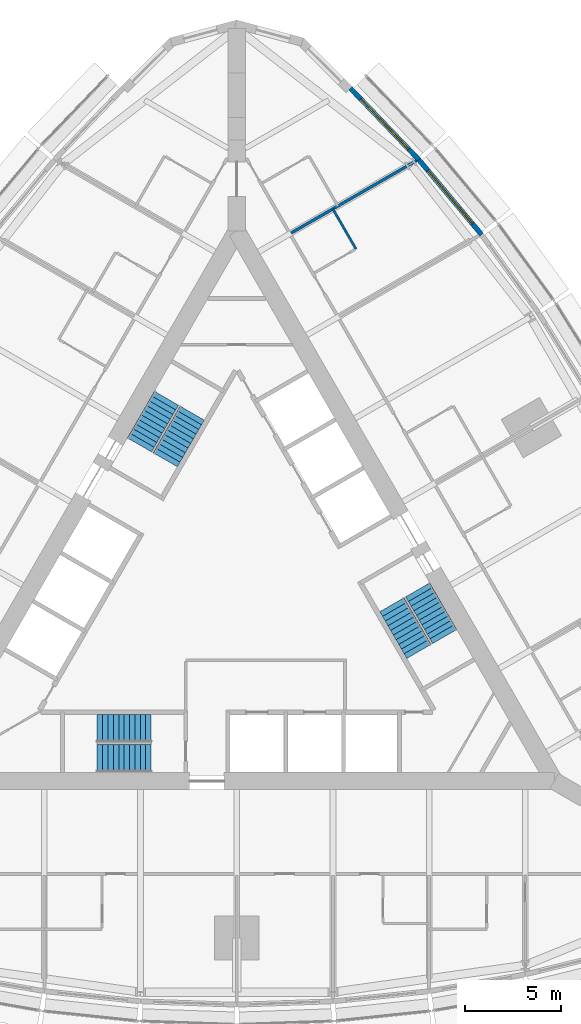
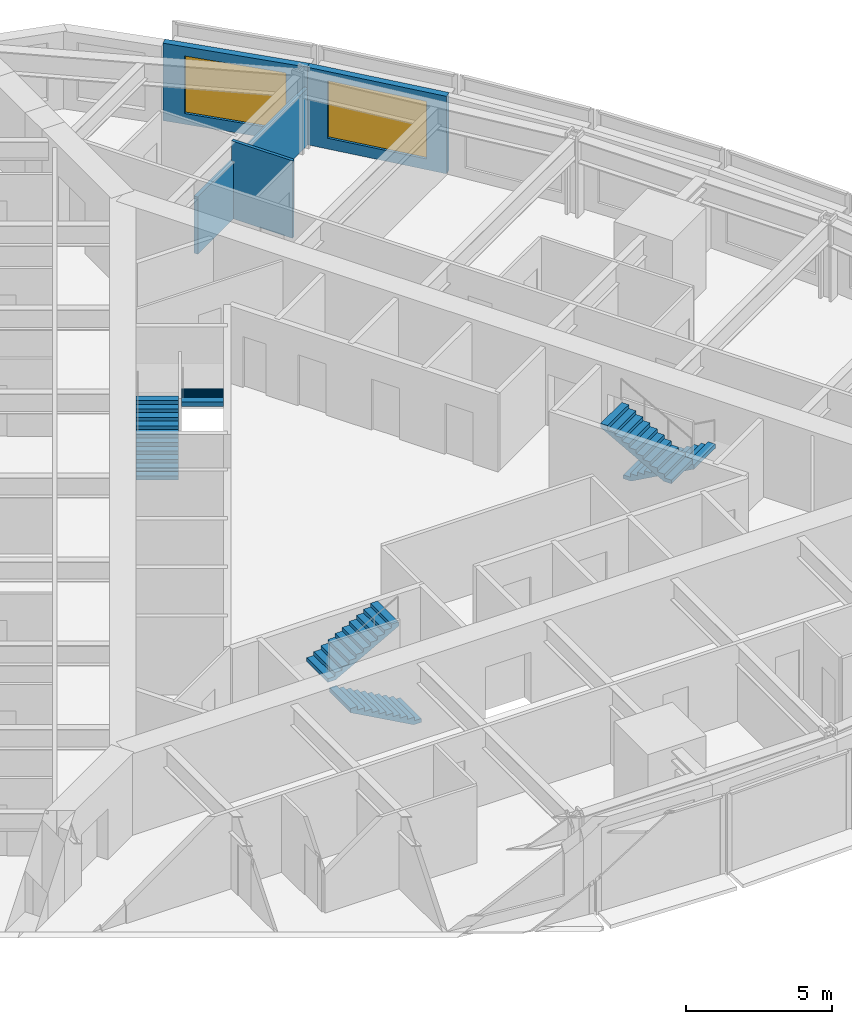
# One storey, part 13 of 14: 6 stair flights, 4 walls, 2 windows, 2 openings, 3 elements without a shape of their own.
"""IFC4 building model written with IfcOpenShell, lengths in metres."""

from ifc_helpers import new_model, si_unit, direction, frame, frame_2d, origin, place, context, subcontext, project, spatial, polyline, rectangle, outline, extrude, material, layer, layer_set, type_object, element, fill, aggregate, save


model = new_model("IFC4")

# Units and contexts
model_context = context("Model", 3, precision=1e-05, world=origin(), true_north=direction((0.0, 1.0)))
body_context = subcontext(model_context, "Body", "Model", "MODEL_VIEW")
ifc_project = project(units=[si_unit("LENGTHUNIT", "METRE"), si_unit("AREAUNIT", "SQUARE_METRE"), si_unit("VOLUMEUNIT", "CUBIC_METRE"), si_unit("PLANEANGLEUNIT", "RADIAN"), si_unit("MASSUNIT", "GRAM", prefix="KILO")], contexts=[model_context])

# Site, building, storey
site_placement = place(None, origin())
site = spatial("IfcSite", under=ifc_project, at=site_placement, CompositionType="ELEMENT")
building_placement = place(site_placement, origin())
building = spatial("IfcBuilding", under=site, at=building_placement, Name="Trikona Tower", CompositionType="ELEMENT")
storey_placement = place(building_placement, frame((0.0, 0.0, 155.5)))
storey = spatial("IfcBuildingStorey", under=building, at=storey_placement, Name="L41", CompositionType="ELEMENT", Elevation=155.5)

# Wall
ifc_material_1 = material(Name="Metal stud and cement board", Category="gypsum")
ifc_layer_1 = layer(ifc_material_1, 0.1201171875)
ifc_layer_set_1 = layer_set([ifc_layer_1], Name="Bathroom wall 120")
wall_type_1 = type_object("IfcWallType", Name="Bathroom wall 120", PredefinedType="PLUMBINGWALL", material=ifc_layer_set_1)
wall_1_placement = place(storey_placement, frame((6.193603515625, 18.125, 0.0), z_axis=(0.0, 0.0, 1.0), x_axis=(-0.500033551112, 0.866006032174, 0.0)))
element("IfcWall", 1, at=wall_1_placement, inside=storey, type_object=wall_type_1, Name="Bathroom wall 4108", PredefinedType="PLUMBINGWALL", context=body_context, shape_type="SweptSolid", body=[
    extrude(rectangle(XDim=2.400146484375, YDim=0.1201171875, at=frame_2d((1.2001953125, 0.0))), origin(), (0.0, 0.0, 1.0), 3.235107421875),
])

# Wall, opening, window
ifc_material_2 = material(Name="Insulated precast concrete spandrel panel", Category="concrete")
ifc_layer_2 = layer(ifc_material_2, 0.25)
ifc_layer_set_2 = layer_set([ifc_layer_2], Name="Inner skin wall 250")
wall_type_2 = type_object("IfcWallType", Name="Inner skin wall 250", PredefinedType="STANDARD", material=ifc_layer_set_2)
wall_2_placement = place(storey_placement, frame((12.722900390625, 18.86767578125, 0.0), z_axis=(0.0, 0.0, 1.0), x_axis=(-0.641810386606, 0.766863369607, 0.0)))
wall_2 = element("IfcWall", 2, at=wall_2_placement, inside=storey, type_object=wall_type_2, Name="External wall L41-18", PredefinedType="STANDARD", context=body_context, shape_type="SweptSolid", body=[
    extrude(rectangle(XDim=5.075927734375, YDim=0.25, at=frame_2d((2.5380859375, 0.0))), origin(), (0.0, 0.0, 1.0), 3.235107421875),
])
opening_1_placement = place(wall_2_placement, frame((0.738037109375, 0.0, 0.449951171875)))
opening_1 = element("IfcOpeningElement", 3, at=opening_1_placement, cuts=wall_2, Name="Opening W3624", PredefinedType="OPENING", context=body_context, shape_type="SweptSolid", body=[
    extrude(rectangle(XDim=3.60009765625, YDim=2.39990234375, at=frame_2d((1.800048828125, 1.199951171875))), frame((0.0, 0.135009765625, 0.0), z_axis=(0.0, -1.0, 0.0), x_axis=(1.0, 0.0, 0.0)), (0.0, 0.0, 1.0), 0.27001953125),
])
ifc_material_3 = material(Name="Aluminium-framed double glazing", Category="aluminium")
window_type = type_object("IfcWindowType", Name="Window 3600x2400", PartitioningType="SINGLE_PANEL", PredefinedType="WINDOW", material=ifc_material_3)
window_1_placement = place(opening_1_placement, origin())
window_1 = element("IfcWindow", 4, at=window_1_placement, inside=storey, type_object=window_type, Name="Window 4108", OverallHeight=2.39990234375, OverallWidth=3.60009765625, PartitioningType="SINGLE_PANEL", PredefinedType="WINDOW", context=body_context, shape_type="SweptSolid", body=[
    extrude(rectangle(XDim=3.60009765625, YDim=2.39990234375, at=frame_2d((1.800048828125, 1.199951171875))), frame((0.0, 0.030029296875, 0.0), z_axis=(0.0, -1.0, 0.0), x_axis=(1.0, 0.0, 0.0)), (0.0, 0.0, 1.0), 0.06005859375),
])
fill(opening_1, window_1)

wall_3_placement = place(storey_placement, frame((9.470703125, 22.75390625, 0.0), z_axis=(0.0, 0.0, 1.0), x_axis=(-0.691719937936, 0.722165858693, 0.0)))
wall_3 = element("IfcWall", 5, at=wall_3_placement, inside=storey, type_object=wall_type_2, Name="External wall L41-19", PredefinedType="STANDARD", context=body_context, shape_type="SweptSolid", body=[
    extrude(rectangle(XDim=5.148193359375, YDim=0.25, at=frame_2d((2.57421875, 0.0))), origin(), (0.0, 0.0, 1.0), 3.235107421875),
])
opening_2_placement = place(wall_3_placement, frame((0.77392578125, 0.0, 0.449951171875)))
opening_2 = element("IfcOpeningElement", 6, at=opening_2_placement, cuts=wall_3, Name="Opening W3624", PredefinedType="OPENING", context=body_context, shape_type="SweptSolid", body=[
    extrude(rectangle(XDim=3.60009765625, YDim=2.39990234375, at=frame_2d((1.800048828125, 1.199951171875))), frame((0.0, 0.135009765625, 0.0), z_axis=(0.0, -1.0, 0.0), x_axis=(1.0, 0.0, 0.0)), (0.0, 0.0, 1.0), 0.27001953125),
])
window_2_placement = place(opening_2_placement, origin())
window_2 = element("IfcWindow", 7, at=window_2_placement, inside=storey, type_object=window_type, Name="Window 4109", OverallHeight=2.39990234375, OverallWidth=3.60009765625, PartitioningType="SINGLE_PANEL", PredefinedType="WINDOW", context=body_context, shape_type="SweptSolid", body=[
    extrude(rectangle(XDim=3.60009765625, YDim=2.39990234375, at=frame_2d((1.800048828125, 1.199951171875))), frame((0.0, 0.030029296875, 0.0), z_axis=(0.0, -1.0, 0.0), x_axis=(1.0, 0.0, 0.0)), (0.0, 0.0, 1.0), 0.06005859375),
])
fill(opening_2, window_2)

# Wall
ifc_material_4 = material(Name="Metal stud and gypsum board, 1-hour acoustic", Category="gypsum")
ifc_layer_3 = layer(ifc_material_4, 0.14990234375)
ifc_layer_set_3 = layer_set([ifc_layer_3], Name="Party wall 150")
wall_type_3 = type_object("IfcWallType", Name="Party wall 150", PredefinedType="PARTITIONING", material=ifc_layer_set_3)
wall_4_placement = place(storey_placement, frame((2.82861328125, 18.95361328125, 0.0), z_axis=(0.0, 0.0, 1.0), x_axis=(0.866015739374, 0.500016738876, 0.0)))
element("IfcWall", 8, at=wall_4_placement, inside=storey, type_object=wall_type_3, Name="Partition L41 F2 u15", PredefinedType="PARTITIONING", context=body_context, shape_type="SweptSolid", body=[
    extrude(rectangle(XDim=7.516357421875, YDim=0.14990234375, at=frame_2d((3.75830078125, 0.0))), origin(), (0.0, 0.0, 1.0), 2.38916015625),
])

# Stair, stair flights
ifc_material_5 = material(Name="Concrete f'c 5000 psi", Category="concrete")
stair_type = type_object("IfcStairType", Name="Core stair", PredefinedType="HALF_TURN_STAIR", material=ifc_material_5)
stair_1_placement = place(storey_placement, origin())
stair_1 = element("IfcStair", 9, at=stair_1_placement, inside=storey, type_object=stair_type, Name="Stair A L41", PredefinedType="HALF_TURN_STAIR")
ifc_material_6 = material(Name="Concrete f'c 5000 psi", Category="concrete")
stair_flight_type = type_object("IfcStairFlightType", Name="Core stair flight 1450", PredefinedType="STRAIGHT", material=ifc_material_6)
stair_flight_1_placement = place(storey_placement, frame((-4.449951171875, -8.351318359375, 0.0), z_axis=(0.0, 0.0, 1.0), x_axis=(-1.0, 0.0, 0.0)))
stair_flight_1 = element("IfcStairFlight", 10, at=stair_flight_1_placement, type_object=stair_flight_type, Name="ST-A flight 1", NumberOfRisers=11, NumberOfTreads=10, PredefinedType="STRAIGHT", RiserHeight=0.154545, TreadLength=0.28, context=body_context, shape_type="SweptSolid", body=[
    extrude(outline(polyline([(0.0, 0.0), (0.0, 0.154541015625), (0.280029296875, 0.154541015625), (0.280029296875, 0.30908203125), (0.56005859375, 0.30908203125), (0.56005859375, 0.463623046875), (0.840087890625, 0.463623046875), (0.840087890625, 0.6181640625), (1.1201171875, 0.6181640625), (1.1201171875, 0.772705078125), (1.39990234375, 0.772705078125), (1.39990234375, 0.92724609375), (1.679931640625, 0.92724609375), (1.679931640625, 1.081787109375), (1.9599609375, 1.081787109375), (1.9599609375, 1.236328125), (2.239990234375, 1.236328125), (2.239990234375, 1.390869140625), (2.52001953125, 1.390869140625), (2.52001953125, 1.54541015625), (2.800048828125, 1.54541015625), (2.800048828125, 1.699951171875), (2.800048828125, 1.374267578125), (0.310302734375, 0.0), (0.0, 0.0)])), frame((0.0, 0.72509765625, 0.0), z_axis=(0.0, -1.0, 0.0), x_axis=(1.0, 0.0, 0.0)), (0.0, 0.0, 1.0), 1.449951171875),
])
stair_flight_2_placement = place(storey_placement, frame((-7.25, -6.80126953125, 1.699951171875), z_axis=(0.0, 0.0, 1.0), x_axis=(1.0, 0.0, 0.0)))
stair_flight_2 = element("IfcStairFlight", 11, at=stair_flight_2_placement, type_object=stair_flight_type, Name="ST-A flight 2", NumberOfRisers=11, NumberOfTreads=10, PredefinedType="STRAIGHT", RiserHeight=0.154545, TreadLength=0.28, context=body_context, shape_type="SweptSolid", body=[
    extrude(outline(polyline([(0.0, 0.0), (0.0, 0.154541015625), (0.280029296875, 0.154541015625), (0.280029296875, 0.30908203125), (0.56005859375, 0.30908203125), (0.56005859375, 0.463623046875), (0.840087890625, 0.463623046875), (0.840087890625, 0.6181640625), (1.1201171875, 0.6181640625), (1.1201171875, 0.772705078125), (1.39990234375, 0.772705078125), (1.39990234375, 0.92724609375), (1.679931640625, 0.92724609375), (1.679931640625, 1.081787109375), (1.9599609375, 1.081787109375), (1.9599609375, 1.236328125), (2.239990234375, 1.236328125), (2.239990234375, 1.390869140625), (2.52001953125, 1.390869140625), (2.52001953125, 1.54541015625), (2.800048828125, 1.54541015625), (2.800048828125, 1.699951171875), (2.800048828125, 1.374267578125), (0.310302734375, 0.0), (0.0, 0.0)])), frame((0.0, 0.72509765625, 0.0), z_axis=(0.0, -1.0, 0.0), x_axis=(1.0, 0.0, 0.0)), (0.0, 0.0, 1.0), 1.449951171875),
])
aggregate(stair_1, [stair_flight_1, stair_flight_2])

stair_2_placement = place(storey_placement, origin())
stair_2 = element("IfcStair", 12, at=stair_2_placement, inside=storey, type_object=stair_type, Name="Stair B L41", PredefinedType="HALF_TURN_STAIR")
stair_flight_3_placement = place(storey_placement, frame((9.407470703125, 0.408447265625, 0.0), z_axis=(0.0, 0.0, 1.0), x_axis=(0.5, -0.866025403784, 0.0)))
stair_flight_3 = element("IfcStairFlight", 13, at=stair_flight_3_placement, type_object=stair_flight_type, Name="ST-B flight 1", NumberOfRisers=11, NumberOfTreads=10, PredefinedType="STRAIGHT", RiserHeight=0.154545, TreadLength=0.28, context=body_context, shape_type="SweptSolid", body=[
    extrude(outline(polyline([(0.0, 0.0), (0.0, 0.154541015625), (0.280029296875, 0.154541015625), (0.280029296875, 0.30908203125), (0.56005859375, 0.30908203125), (0.56005859375, 0.463623046875), (0.840087890625, 0.463623046875), (0.840087890625, 0.6181640625), (1.1201171875, 0.6181640625), (1.1201171875, 0.772705078125), (1.39990234375, 0.772705078125), (1.39990234375, 0.92724609375), (1.679931640625, 0.92724609375), (1.679931640625, 1.081787109375), (1.9599609375, 1.081787109375), (1.9599609375, 1.236328125), (2.239990234375, 1.236328125), (2.239990234375, 1.390869140625), (2.52001953125, 1.390869140625), (2.52001953125, 1.54541015625), (2.800048828125, 1.54541015625), (2.800048828125, 1.699951171875), (2.800048828125, 1.374267578125), (0.310302734375, 0.0), (0.0, 0.0)])), frame((0.0, 0.72509765625, 0.0), z_axis=(0.0, -1.0, 0.0), x_axis=(1.0, 0.0, 0.0)), (0.0, 0.0, 1.0), 1.449951171875),
])
stair_flight_4_placement = place(storey_placement, frame((9.465087890625, -2.79150390625, 1.699951171875), z_axis=(0.0, 0.0, 1.0), x_axis=(-0.5, 0.866025403784, 0.0)))
stair_flight_4 = element("IfcStairFlight", 14, at=stair_flight_4_placement, type_object=stair_flight_type, Name="ST-B flight 2", NumberOfRisers=11, NumberOfTreads=10, PredefinedType="STRAIGHT", RiserHeight=0.154545, TreadLength=0.28, context=body_context, shape_type="SweptSolid", body=[
    extrude(outline(polyline([(0.0, 0.0), (0.0, 0.154541015625), (0.280029296875, 0.154541015625), (0.280029296875, 0.30908203125), (0.56005859375, 0.30908203125), (0.56005859375, 0.463623046875), (0.840087890625, 0.463623046875), (0.840087890625, 0.6181640625), (1.1201171875, 0.6181640625), (1.1201171875, 0.772705078125), (1.39990234375, 0.772705078125), (1.39990234375, 0.92724609375), (1.679931640625, 0.92724609375), (1.679931640625, 1.081787109375), (1.9599609375, 1.081787109375), (1.9599609375, 1.236328125), (2.239990234375, 1.236328125), (2.239990234375, 1.390869140625), (2.52001953125, 1.390869140625), (2.52001953125, 1.54541015625), (2.800048828125, 1.54541015625), (2.800048828125, 1.699951171875), (2.800048828125, 1.374267578125), (0.310302734375, 0.0), (0.0, 0.0)])), frame((0.0, 0.72509765625, 0.0), z_axis=(0.0, -1.0, 0.0), x_axis=(1.0, 0.0, 0.0)), (0.0, 0.0, 1.0), 1.449951171875),
])
aggregate(stair_2, [stair_flight_3, stair_flight_4])

stair_3_placement = place(storey_placement, origin())
stair_3 = element("IfcStair", 15, at=stair_3_placement, inside=storey, type_object=stair_type, Name="Stair C L41", PredefinedType="HALF_TURN_STAIR")
stair_flight_5_placement = place(storey_placement, frame((-5.057373046875, 7.94287109375, 0.0), z_axis=(0.0, 0.0, 1.0), x_axis=(0.5, 0.866025403784, 0.0)))
stair_flight_5 = element("IfcStairFlight", 16, at=stair_flight_5_placement, type_object=stair_flight_type, Name="ST-C flight 1", NumberOfRisers=11, NumberOfTreads=10, PredefinedType="STRAIGHT", RiserHeight=0.154545, TreadLength=0.28, context=body_context, shape_type="SweptSolid", body=[
    extrude(outline(polyline([(0.0, 0.0), (0.0, 0.154541015625), (0.280029296875, 0.154541015625), (0.280029296875, 0.30908203125), (0.56005859375, 0.30908203125), (0.56005859375, 0.463623046875), (0.840087890625, 0.463623046875), (0.840087890625, 0.6181640625), (1.1201171875, 0.6181640625), (1.1201171875, 0.772705078125), (1.39990234375, 0.772705078125), (1.39990234375, 0.92724609375), (1.679931640625, 0.92724609375), (1.679931640625, 1.081787109375), (1.9599609375, 1.081787109375), (1.9599609375, 1.236328125), (2.239990234375, 1.236328125), (2.239990234375, 1.390869140625), (2.52001953125, 1.390869140625), (2.52001953125, 1.54541015625), (2.800048828125, 1.54541015625), (2.800048828125, 1.699951171875), (2.800048828125, 1.374267578125), (0.310302734375, 0.0), (0.0, 0.0)])), frame((0.0, 0.72509765625, 0.0), z_axis=(0.0, -1.0, 0.0), x_axis=(1.0, 0.0, 0.0)), (0.0, 0.0, 1.0), 1.449951171875),
])
stair_flight_6_placement = place(storey_placement, frame((-2.315185546875, 9.5927734375, 1.699951171875), z_axis=(0.0, 0.0, 1.0), x_axis=(-0.5, -0.866025403784, 0.0)))
stair_flight_6 = element("IfcStairFlight", 17, at=stair_flight_6_placement, type_object=stair_flight_type, Name="ST-C flight 2", NumberOfRisers=11, NumberOfTreads=10, PredefinedType="STRAIGHT", RiserHeight=0.154545, TreadLength=0.28, context=body_context, shape_type="SweptSolid", body=[
    extrude(outline(polyline([(0.0, 0.0), (0.0, 0.154541015625), (0.280029296875, 0.154541015625), (0.280029296875, 0.30908203125), (0.56005859375, 0.30908203125), (0.56005859375, 0.463623046875), (0.840087890625, 0.463623046875), (0.840087890625, 0.6181640625), (1.1201171875, 0.6181640625), (1.1201171875, 0.772705078125), (1.39990234375, 0.772705078125), (1.39990234375, 0.92724609375), (1.679931640625, 0.92724609375), (1.679931640625, 1.081787109375), (1.9599609375, 1.081787109375), (1.9599609375, 1.236328125), (2.239990234375, 1.236328125), (2.239990234375, 1.390869140625), (2.52001953125, 1.390869140625), (2.52001953125, 1.54541015625), (2.800048828125, 1.54541015625), (2.800048828125, 1.699951171875), (2.800048828125, 1.374267578125), (0.310302734375, 0.0), (0.0, 0.0)])), frame((0.0, 0.72509765625, 0.0), z_axis=(0.0, -1.0, 0.0), x_axis=(1.0, 0.0, 0.0)), (0.0, 0.0, 1.0), 1.449951171875),
])
aggregate(stair_3, [stair_flight_5, stair_flight_6])

save(model, "model.ifc")
